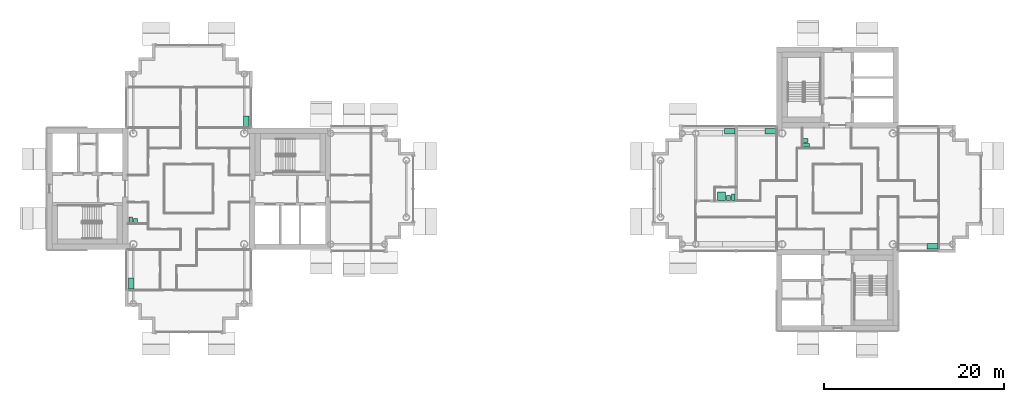
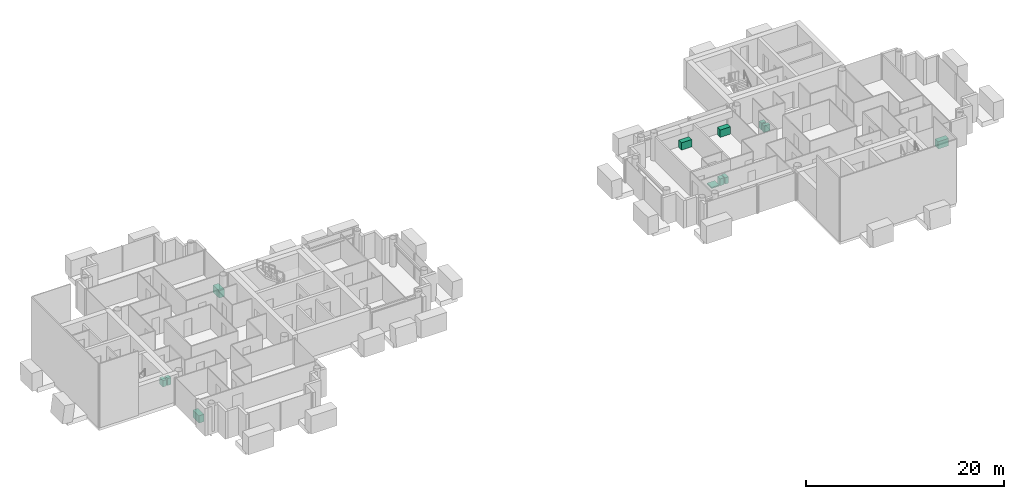
# One storey, part 18 of 18: 12 sanitary terminals.
"""IFC4 building model written with IfcOpenShell, lengths in metres."""

from ifc_helpers import new_model, si_unit, direction, frame, origin, origin_2d, place, context, subcontext, project, spatial, rectangle, extrude, material, type_object, element, save


model = new_model("IFC4")

# Units and contexts
model_context = context("Model", 3, precision=1e-05, world=origin(), true_north=direction((0.0, 1.0)))
body_context = subcontext(model_context, "Body", "Model", "MODEL_VIEW")
ifc_project = project(units=[si_unit("LENGTHUNIT", "METRE"), si_unit("AREAUNIT", "SQUARE_METRE"), si_unit("VOLUMEUNIT", "CUBIC_METRE"), si_unit("PLANEANGLEUNIT", "RADIAN"), si_unit("MASSUNIT", "GRAM", prefix="KILO")], contexts=[model_context])

# Site, building, storey
site_placement = place(None, origin())
site = spatial("IfcSite", under=ifc_project, at=site_placement, CompositionType="ELEMENT")
building_placement = place(site_placement, origin())
building = spatial("IfcBuilding", under=site, at=building_placement, Name="Ipe Terrace Towers", CompositionType="ELEMENT")
storey_placement = place(building_placement, frame((0.0, 0.0, 230.0)))
storey = spatial("IfcBuildingStorey", under=building, at=storey_placement, Name="L64", CompositionType="ELEMENT", Elevation=230.0)

# Sanitary terminals
ifc_material_1 = material(Name="Stainless sink unit", Category="metal")
sanitary_terminal_type_1 = type_object("IfcSanitaryTerminalType", Name="Kitchen sink unit", PredefinedType="SINK", material=ifc_material_1)
for number, where, z_axis, x_axis, name in (
    (1, (-29.6201171875, 7.469970703125, 0.0), (0.0, 0.0, 1.0), (0.0, -1.0, 0.0), "Kitchen sink unit"),
    (2, (-42.3798828125, -10.530029296875, 0.0), (0.0, 0.0, 1.0), (0.0, 1.0, 0.0), "Kitchen sink unit"),
    (3, (28.530029296875, 6.3798828125, 0.0), (0.0, 0.0, 1.0), (1.0, 0.0, 0.0), "Kitchen sink unit"),
    (4, (24.030029296875, 6.3798828125, 0.0), (0.0, 0.0, 1.0), (1.0, 0.0, 0.0), "Kitchen sink unit"),
    (5, (46.530029296875, -6.3798828125, 0.0), (0.0, 0.0, 1.0), (-1.0, 0.0, 0.0), "Kitchen sink unit"),
):
    element("IfcSanitaryTerminal", number, at=place(storey_placement, frame(where, z_axis=z_axis, x_axis=x_axis)), inside=storey, type_object=sanitary_terminal_type_1, Name=name, PredefinedType="SINK", context=body_context, shape_type="SweptSolid", body=[
        extrude(rectangle(XDim=1.199951171875, YDim=0.60009765625, at=origin_2d()), origin(), (0.0, 0.0, 1.0), 0.89990234375),
    ])
ifc_material_2 = material(Name="Acrylic", Category="plastic")
sanitary_terminal_type_2 = type_object("IfcSanitaryTerminalType", Name="Shower tray", PredefinedType="SHOWER", material=ifc_material_2)
sanitary_terminal_placement = place(storey_placement, frame((23.1298828125, -0.830078125, 0.0), z_axis=(0.0, 0.0, 1.0), x_axis=(0.0, 1.0, 0.0)))
element("IfcSanitaryTerminal", 6, at=sanitary_terminal_placement, inside=storey, type_object=sanitary_terminal_type_2, Name="Shower tray", PredefinedType="SHOWER", context=body_context, shape_type="SweptSolid", body=[
    extrude(rectangle(XDim=0.89990234375, YDim=0.89990234375, at=origin_2d()), origin(), (0.0, 0.0, 1.0), 0.14990234375),
])
ifc_material_3 = material(Name="Vitreous china", Category="ceramic")
sanitary_terminal_type_3 = type_object("IfcSanitaryTerminalType", Name="Wash basin", PredefinedType="WASHHANDBASIN", material=ifc_material_3)
for number, where, z_axis, x_axis, name in (
    (7, (-41.905029296875, -3.554931640625, 0.0), (0.0, 0.0, 1.0), (0.0, 1.0, 0.0), "Wash basin"),
    (8, (32.445068359375, 5.344970703125, 0.0), (0.0, 0.0, 1.0), (1.0, 0.0, 0.0), "Wash basin"),
    (9, (23.905029296875, -1.0048828125, 0.0), (0.0, 0.0, 1.0), (0.0, 1.0, 0.0), "Wash basin"),
):
    element("IfcSanitaryTerminal", number, at=place(storey_placement, frame(where, z_axis=z_axis, x_axis=x_axis)), inside=storey, type_object=sanitary_terminal_type_3, Name=name, PredefinedType="WASHHANDBASIN", context=body_context, shape_type="SweptSolid", body=[
        extrude(rectangle(XDim=0.550048828125, YDim=0.449951171875, at=origin_2d()), origin(), (0.0, 0.0, 1.0), 0.85009765625),
    ])
ifc_material_4 = material(Name="Vitreous china", Category="ceramic")
sanitary_terminal_type_4 = type_object("IfcSanitaryTerminalType", Name="Water closet", PredefinedType="TOILETPAN", material=ifc_material_4)
for number, where, z_axis, x_axis, name in (
    (10, (-42.429931640625, -3.47998046875, 0.0), (0.0, 0.0, 1.0), (0.0, 1.0, 0.0), "Water closet"),
    (11, (32.52001953125, 4.820068359375, 0.0), (0.0, 0.0, 1.0), (1.0, 0.0, 0.0), "Water closet"),
    (12, (24.429931640625, -0.929931640625, 0.0), (0.0, 0.0, 1.0), (0.0, 1.0, 0.0), "Water closet"),
):
    element("IfcSanitaryTerminal", number, at=place(storey_placement, frame(where, z_axis=z_axis, x_axis=x_axis)), inside=storey, type_object=sanitary_terminal_type_4, Name=name, PredefinedType="TOILETPAN", context=body_context, shape_type="SweptSolid", body=[
        extrude(rectangle(XDim=0.699951171875, YDim=0.39990234375, at=origin_2d()), origin(), (0.0, 0.0, 1.0), 0.780029296875),
    ])

save(model, "model.ifc")
